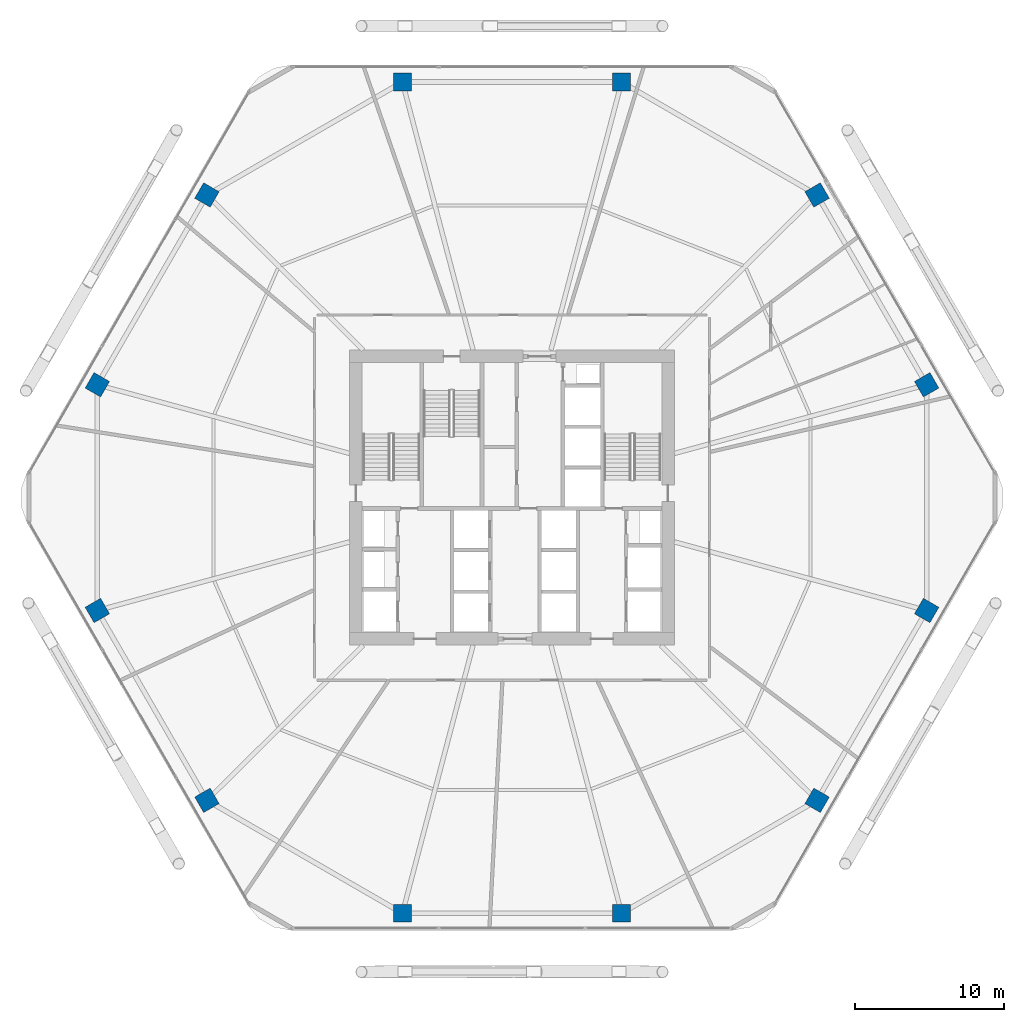
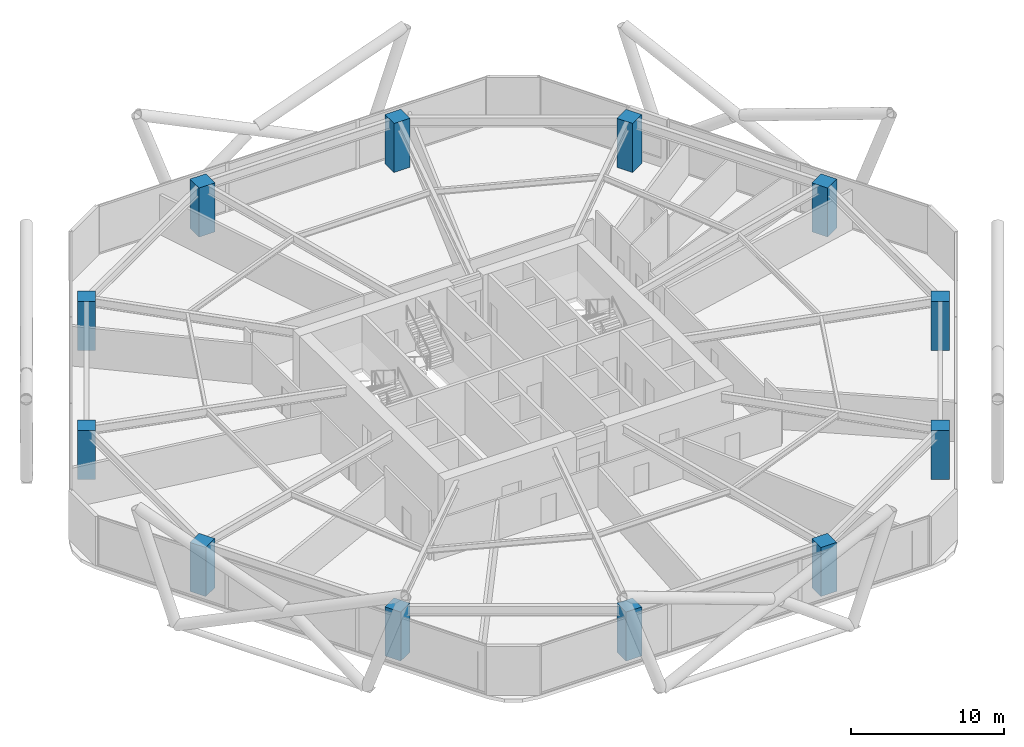
# One storey, part 1 of 28: 12 columns.
"""IFC4 building model written with IfcOpenShell, lengths in metres."""

from ifc_helpers import new_model, si_unit, direction, frame, origin, origin_2d, place, context, subcontext, project, spatial, rectangle, extrude, material, material_profile, profile_set, type_object, element, save


model = new_model("IFC4")

# Units and contexts
model_context = context("Model", 3, precision=1e-05, world=origin(), true_north=direction((0.0, 1.0)))
body_context = subcontext(model_context, "Body", "Model", "MODEL_VIEW")
ifc_project = project(units=[si_unit("LENGTHUNIT", "METRE"), si_unit("AREAUNIT", "SQUARE_METRE"), si_unit("VOLUMEUNIT", "CUBIC_METRE"), si_unit("PLANEANGLEUNIT", "RADIAN"), si_unit("MASSUNIT", "GRAM", prefix="KILO")], contexts=[model_context])

# Site, building, storey
site_placement = place(None, origin())
site = spatial("IfcSite", under=ifc_project, at=site_placement, CompositionType="ELEMENT")
building_placement = place(site_placement, origin())
building = spatial("IfcBuilding", under=site, at=building_placement, Name="Zuhravey Tower", CompositionType="ELEMENT")
storey_placement = place(building_placement, frame((0.0, 0.0, 49.800048828125)))
storey = spatial("IfcBuildingStorey", under=building, at=storey_placement, Name="L12", CompositionType="ELEMENT", Elevation=49.800048828125)

# Columns
ifc_material = material(Name="Concrete C60/75", Category="concrete")
ifc_material_profile = material_profile(ifc_material, rectangle(XDim=1.199951171875, YDim=1.199951171875, at=origin_2d()), Name="RC-1200x1200")
ifc_profile_set = profile_set([ifc_material_profile], Name="Concrete C60/75")
column_type = type_object("IfcColumnType", Name="Zone 1 Perimeter Column 1200x1200", PredefinedType="COLUMN", material=ifc_profile_set)
for number, where, z_axis, x_axis, name in (
    (1, (63.88916015625, 39.591552734375, 0.0), (0.0, 0.0, 1.0), (-0.5, 0.866025403784, 0.0), "L12 Perimeter Column PC01"),
    (2, (56.51904296875, 52.35693359375, 0.0), (0.0, 0.0, 1.0), (-0.5, 0.866025403784, 0.0), "L12 Perimeter Column PC02"),
    (3, (43.3701171875, 59.948486328125, 0.0), (0.0, 0.0, 1.0), (-1.0, 0.0, 0.0), "L12 Perimeter Column PC03"),
    (4, (28.6298828125, 59.948486328125, 0.0), (0.0, 0.0, 1.0), (-1.0, 0.0, 0.0), "L12 Perimeter Column PC04"),
    (5, (15.48095703125, 52.35693359375, 0.0), (0.0, 0.0, 1.0), (-0.5, -0.866025403784, 0.0), "L12 Perimeter Column PC05"),
    (6, (8.11083984375, 39.591552734375, 0.0), (0.0, 0.0, 1.0), (-0.5, -0.866025403784, 0.0), "L12 Perimeter Column PC06"),
    (7, (8.11083984375, 24.408447265625, 0.0), (0.0, 0.0, 1.0), (0.5, -0.866025403784, 0.0), "L12 Perimeter Column PC07"),
    (8, (15.48095703125, 11.64306640625, 0.0), (0.0, 0.0, 1.0), (0.5, -0.866025403784, 0.0), "L12 Perimeter Column PC08"),
    (9, (28.6298828125, 4.051513671875, 0.0), (0.0, 0.0, 1.0), (1.0, 0.0, 0.0), "L12 Perimeter Column PC09"),
    (10, (43.3701171875, 4.051513671875, 0.0), (0.0, 0.0, 1.0), (1.0, 0.0, 0.0), "L12 Perimeter Column PC10"),
    (11, (56.51904296875, 11.64306640625, 0.0), (0.0, 0.0, 1.0), (0.5, 0.866025403784, 0.0), "L12 Perimeter Column PC11"),
    (12, (63.88916015625, 24.408447265625, 0.0), (0.0, 0.0, 1.0), (0.5, 0.866025403784, 0.0), "L12 Perimeter Column PC12"),
):
    element("IfcColumn", number, at=place(storey_placement, frame(where, z_axis=z_axis, x_axis=x_axis)), inside=storey, type_object=column_type, Name=name, PredefinedType="COLUMN", context=body_context, shape_type="SweptSolid", body=[
        extrude(rectangle(XDim=1.199951171875, YDim=1.199951171875, at=origin_2d()), origin(), (0.0, 0.0, 1.0), 3.919921875),
    ])

save(model, "model.ifc")
